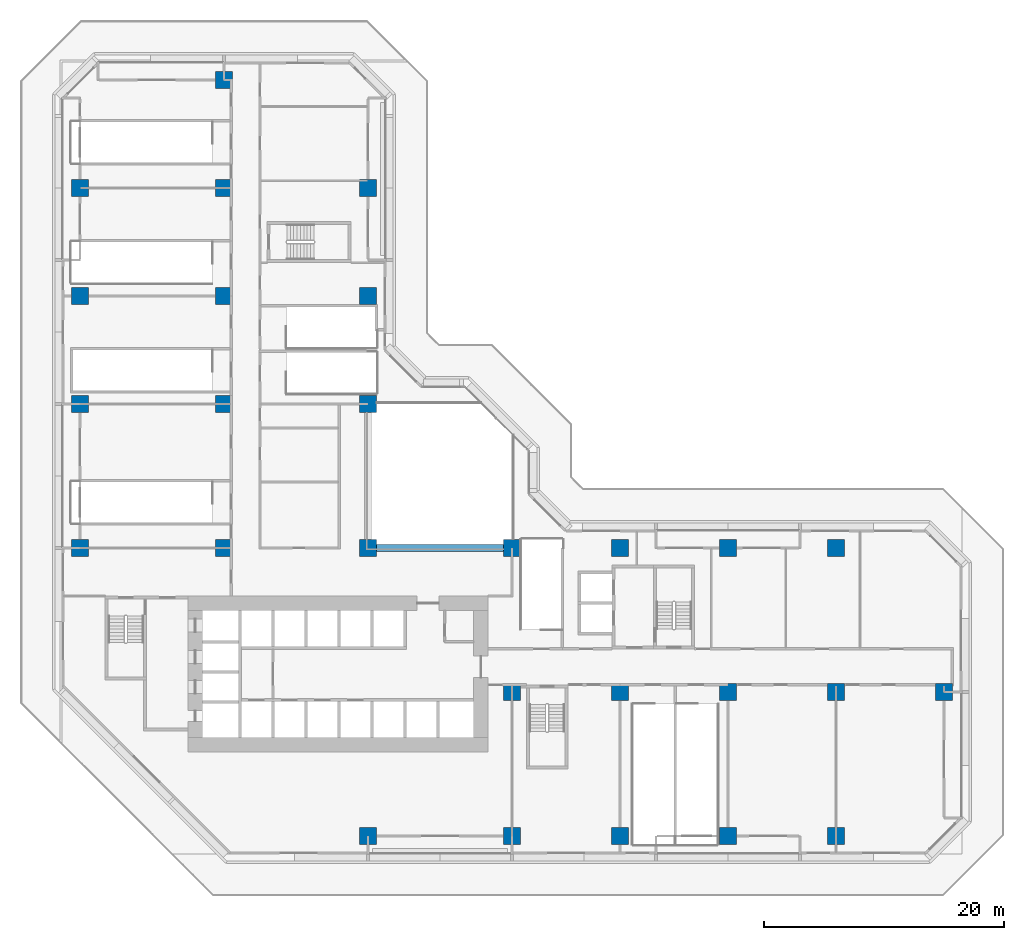
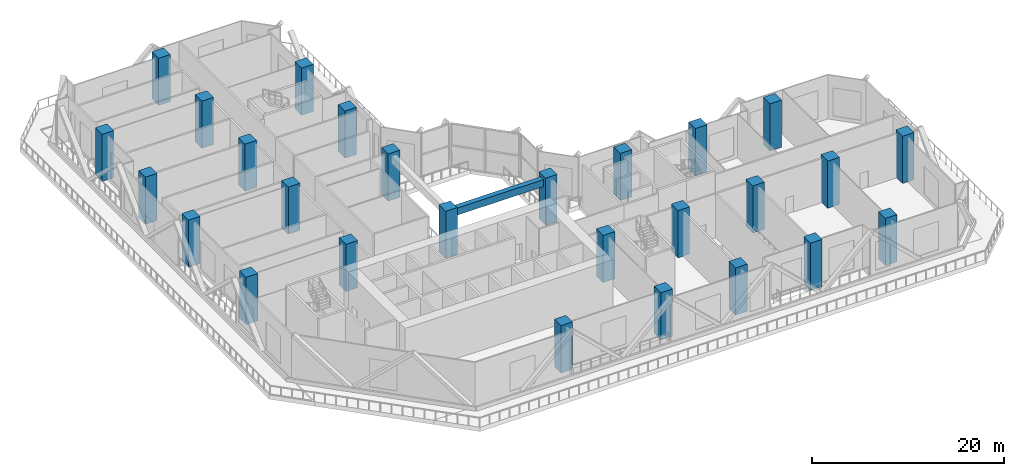
# One storey, part 1 of 16: 27 columns, 1 beam.
"""IFC4 building model written with IfcOpenShell, lengths in metres."""

from ifc_helpers import new_model, si_unit, direction, frame, origin, origin_2d, place, context, subcontext, project, spatial, rectangle, extrude, material, material_profile, profile_set, type_object, element, save


model = new_model("IFC4")

# Units and contexts
model_context = context("Model", 3, precision=1e-05, world=origin(), true_north=direction((0.0, 1.0)))
body_context = subcontext(model_context, "Body", "Model", "MODEL_VIEW")
ifc_project = project(units=[si_unit("LENGTHUNIT", "METRE"), si_unit("AREAUNIT", "SQUARE_METRE"), si_unit("VOLUMEUNIT", "CUBIC_METRE"), si_unit("PLANEANGLEUNIT", "RADIAN"), si_unit("MASSUNIT", "GRAM", prefix="KILO")], contexts=[model_context])

# Site, building, storey
site_placement = place(None, origin())
site = spatial("IfcSite", under=ifc_project, at=site_placement, CompositionType="ELEMENT")
building_placement = place(site_placement, origin())
building = spatial("IfcBuilding", under=site, at=building_placement, Name="Chenar Terraces", CompositionType="ELEMENT")
storey_placement = place(building_placement, frame((0.0, 0.0, 35.39990234375)))
storey = spatial("IfcBuildingStorey", under=building, at=storey_placement, Name="L06", CompositionType="ELEMENT", Elevation=35.39990234375)

# Columns
ifc_material_1 = material(Name="Concrete C60/75", Category="concrete")
ifc_material_profile_1 = material_profile(ifc_material_1, rectangle(XDim=1.39990234375, YDim=1.39990234375, at=origin_2d()), Name="C 1400 x 1400")
ifc_profile_set_1 = profile_set([ifc_material_profile_1], Name="Concrete C60/75")
column_type = type_object("IfcColumnType", Name="Column C 1400 x 1400 Concrete C60/75", PredefinedType="COLUMN", material=ifc_profile_set_1)
column_1_placement = place(storey_placement, frame((0.0, 24.0, 0.0), z_axis=(0.0, 0.0, 1.0), x_axis=(1.0, 0.0, 0.0)))
element("IfcColumn", 1, at=column_1_placement, inside=storey, type_object=column_type, Name="Column 5/G L06", PredefinedType="COLUMN", context=body_context, shape_type="SweptSolid", body=[
    extrude(rectangle(XDim=1.39990234375, YDim=1.39990234375, at=origin_2d()), origin(), (0.0, 0.0, 1.0), 6.0),
])
column_2_placement = place(storey_placement, frame((0.0, 36.0, 0.0), z_axis=(0.0, 0.0, 1.0), x_axis=(1.0, 0.0, 0.0)))
element("IfcColumn", 2, at=column_2_placement, inside=storey, type_object=column_type, Name="Column 5/H L06", PredefinedType="COLUMN", context=body_context, shape_type="SweptSolid", body=[
    extrude(rectangle(XDim=1.39990234375, YDim=1.39990234375, at=origin_2d()), origin(), (0.0, 0.0, 1.0), 6.0),
])
for number, where, z_axis, x_axis, name in (
    (3, (0.0, 45.0, 0.0), (0.0, 0.0, 1.0), (1.0, 0.0, 0.0), "Column 5/J L06"),
    (4, (0.0, 54.0, 0.0), (0.0, 0.0, 1.0), (1.0, 0.0, 0.0), "Column 5/K L06"),
    (5, (12.0, 24.0, 0.0), (0.0, 0.0, 1.0), (1.0, 0.0, 0.0), "Column 6/G L06"),
    (6, (12.0, 36.0, 0.0), (0.0, 0.0, 1.0), (1.0, 0.0, 0.0), "Column 6/H L06"),
    (7, (12.0, 45.0, 0.0), (0.0, 0.0, 1.0), (1.0, 0.0, 0.0), "Column 6/J L06"),
    (8, (12.0, 54.0, 0.0), (0.0, 0.0, 1.0), (1.0, 0.0, 0.0), "Column 6/K L06"),
):
    element("IfcColumn", number, at=place(storey_placement, frame(where, z_axis=z_axis, x_axis=x_axis)), inside=storey, type_object=column_type, Name=name, PredefinedType="COLUMN", context=body_context, shape_type="SweptSolid", body=[
        extrude(rectangle(XDim=1.39990234375, YDim=1.39990234375, at=origin_2d()), origin(), (0.0, 0.0, 1.0), 6.0),
    ])
column_3_placement = place(storey_placement, frame((12.0, 63.0, 0.0), z_axis=(0.0, 0.0, 1.0), x_axis=(1.0, 0.0, 0.0)))
element("IfcColumn", 9, at=column_3_placement, inside=storey, type_object=column_type, Name="Column 6/L L06", PredefinedType="COLUMN", context=body_context, shape_type="SweptSolid", body=[
    extrude(rectangle(XDim=1.39990234375, YDim=1.39990234375, at=origin_2d()), origin(), (0.0, 0.0, 1.0), 6.0),
])
for number, where, z_axis, x_axis, name in (
    (10, (24.0, 0.0, 0.0), (0.0, 0.0, 1.0), (1.0, 0.0, 0.0), "Column 7/E L06"),
    (11, (24.0, 24.0, 0.0), (0.0, 0.0, 1.0), (1.0, 0.0, 0.0), "Column 7/G L06"),
    (12, (24.0, 36.0, 0.0), (0.0, 0.0, 1.0), (1.0, 0.0, 0.0), "Column 7/H L06"),
    (13, (24.0, 45.0, 0.0), (0.0, 0.0, 1.0), (1.0, 0.0, 0.0), "Column 7/J L06"),
    (14, (24.0, 54.0, 0.0), (0.0, 0.0, 1.0), (1.0, 0.0, 0.0), "Column 7/K L06"),
    (15, (36.0, 0.0, 0.0), (0.0, 0.0, 1.0), (1.0, 0.0, 0.0), "Column 8/E L06"),
    (16, (36.0, 12.0, 0.0), (0.0, 0.0, 1.0), (1.0, 0.0, 0.0), "Column 8/F L06"),
    (17, (36.0, 24.0, 0.0), (0.0, 0.0, 1.0), (1.0, 0.0, 0.0), "Column 8/G L06"),
    (18, (45.0, 0.0, 0.0), (0.0, 0.0, 1.0), (1.0, 0.0, 0.0), "Column 9/E L06"),
    (19, (45.0, 12.0, 0.0), (0.0, 0.0, 1.0), (1.0, 0.0, 0.0), "Column 9/F L06"),
    (20, (45.0, 24.0, 0.0), (0.0, 0.0, 1.0), (1.0, 0.0, 0.0), "Column 9/G L06"),
    (21, (54.0, 0.0, 0.0), (0.0, 0.0, 1.0), (1.0, 0.0, 0.0), "Column 10/E L06"),
    (22, (54.0, 12.0, 0.0), (0.0, 0.0, 1.0), (1.0, 0.0, 0.0), "Column 10/F L06"),
    (23, (54.0, 24.0, 0.0), (0.0, 0.0, 1.0), (1.0, 0.0, 0.0), "Column 10/G L06"),
    (24, (63.0, 0.0, 0.0), (0.0, 0.0, 1.0), (1.0, 0.0, 0.0), "Column 11/E L06"),
    (25, (63.0, 12.0, 0.0), (0.0, 0.0, 1.0), (1.0, 0.0, 0.0), "Column 11/F L06"),
    (26, (63.0, 24.0, 0.0), (0.0, 0.0, 1.0), (1.0, 0.0, 0.0), "Column 11/G L06"),
    (27, (72.0, 12.0, 0.0), (0.0, 0.0, 1.0), (1.0, 0.0, 0.0), "Column 12/F L06"),
):
    element("IfcColumn", number, at=place(storey_placement, frame(where, z_axis=z_axis, x_axis=x_axis)), inside=storey, type_object=column_type, Name=name, PredefinedType="COLUMN", context=body_context, shape_type="SweptSolid", body=[
        extrude(rectangle(XDim=1.39990234375, YDim=1.39990234375, at=origin_2d()), origin(), (0.0, 0.0, 1.0), 6.0),
    ])

# Beam
ifc_material_2 = material(Name="Concrete C40/50", Category="concrete")
ifc_material_profile_2 = material_profile(ifc_material_2, rectangle(XDim=0.60009765625, YDim=0.89990234375, at=origin_2d()), Name="RC 600 x 900")
ifc_profile_set_2 = profile_set([ifc_material_profile_2], Name="Concrete C40/50")
beam_type = type_object("IfcBeamType", Name="Atrium edge beam 600 x 900 Concrete C40/50", PredefinedType="BEAM", material=ifc_profile_set_2)
beam_placement = place(storey_placement, frame((24.699951171875, 24.0, 5.150146484375), z_axis=(1.0, 0.0, 0.0), x_axis=(0.0, 1.0, 0.0)))
element("IfcBeam", 28, at=beam_placement, inside=storey, type_object=beam_type, Name="Atrium edge beam L07 1", PredefinedType="BEAM", context=body_context, shape_type="SweptSolid", body=[
    extrude(rectangle(XDim=0.60009765625, YDim=0.89990234375, at=origin_2d()), origin(), (0.0, 0.0, 1.0), 10.60009765625),
])

save(model, "model.ifc")
